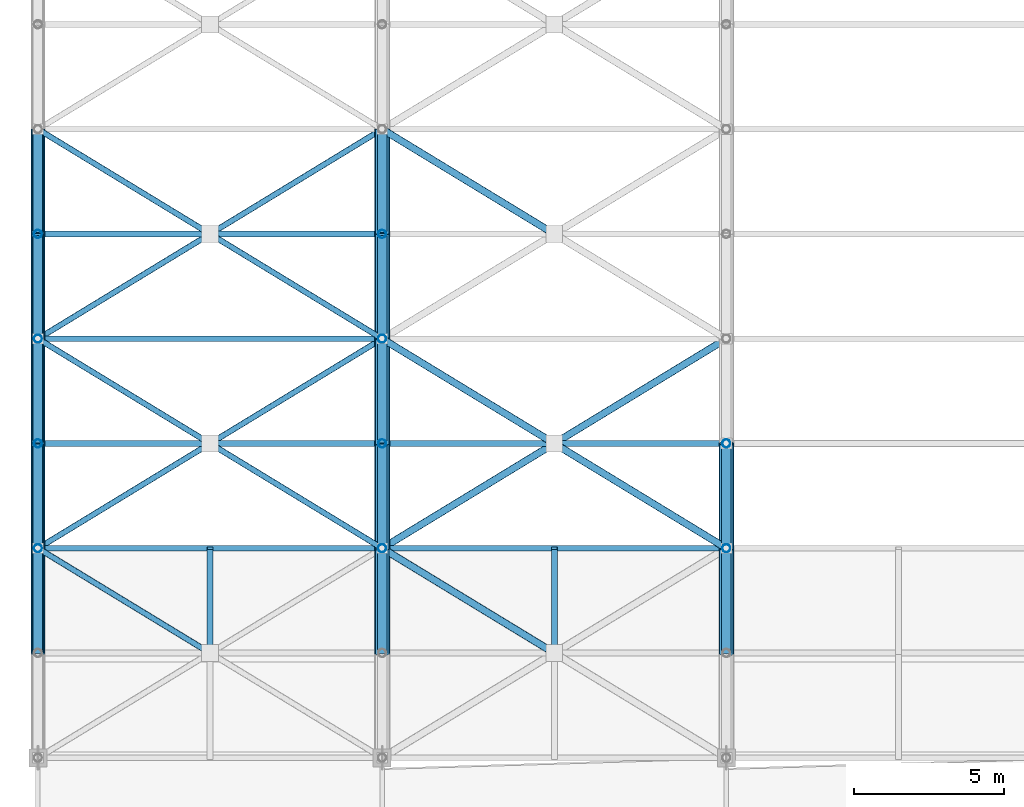
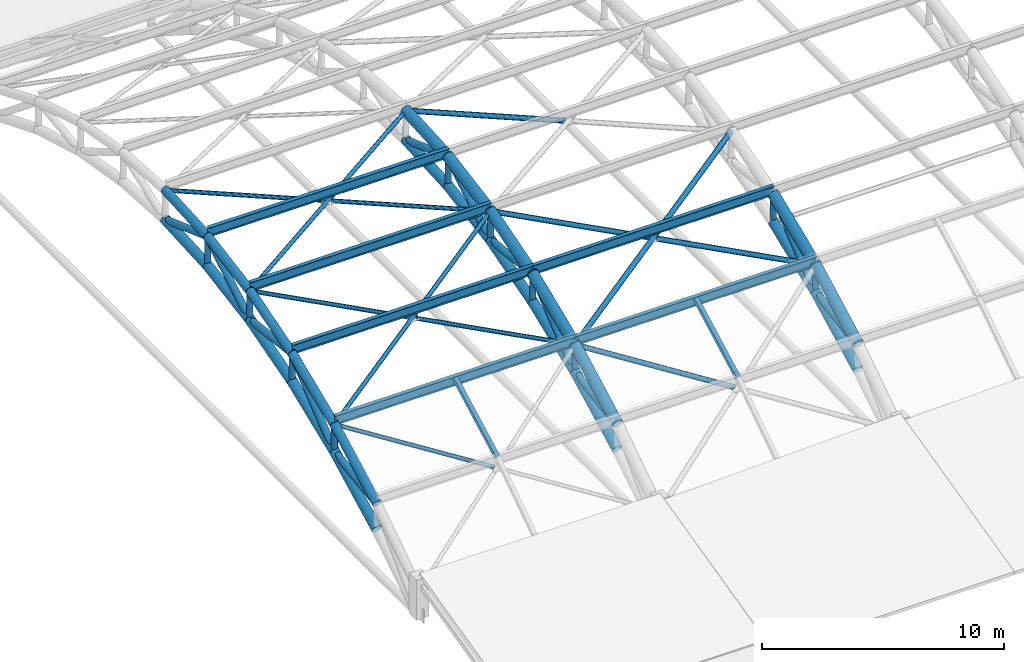
# One storey, part 11 of 154: 66 members.
"""IFC4 building model written with IfcOpenShell, lengths in metres."""

from ifc_helpers import new_model, si_unit, direction, frame, origin, origin_2d, place, context, subcontext, project, spatial, hollow_rectangle, hollow_circle, i_section, extrude, material, material_profile, profile_set, type_object, element, save


model = new_model("IFC4")

# Units and contexts
model_context = context("Model", 3, precision=1e-05, world=origin(), true_north=direction((0.0, 1.0)))
body_context = subcontext(model_context, "Body", "Model", "MODEL_VIEW")
ifc_project = project(units=[si_unit("LENGTHUNIT", "METRE"), si_unit("AREAUNIT", "SQUARE_METRE"), si_unit("VOLUMEUNIT", "CUBIC_METRE"), si_unit("PLANEANGLEUNIT", "RADIAN"), si_unit("MASSUNIT", "GRAM", prefix="KILO")], contexts=[model_context])

# Site, building, storey
site_placement = place(None, origin())
site = spatial("IfcSite", under=ifc_project, at=site_placement, CompositionType="ELEMENT")
building_placement = place(site_placement, origin())
building = spatial("IfcBuilding", under=site, at=building_placement, Name="Ologun Quay Terminus", CompositionType="ELEMENT")
storey_placement = place(building_placement, frame((0.0, 0.0, 13.800048828125)))
storey = spatial("IfcBuildingStorey", under=building, at=storey_placement, Name="L03", CompositionType="ELEMENT", Elevation=13.800048828125)

# Members
ifc_material_1 = material(Name="Steel S355", Category="steel")
ifc_material_profile_1 = material_profile(ifc_material_1, hollow_circle(Radius=0.136474609375, WallThickness=0.010009765625, at=origin_2d()), Name="CHS 273x10")
ifc_profile_set_1 = profile_set([ifc_material_profile_1], Name="Steel S355")
member_type_1 = type_object("IfcMemberType", Name="Arch Truss Vertical Post CHS273", PredefinedType="STRUT", material=ifc_profile_set_1)
member_1_placement = place(storey_placement, frame((0.0, 43.0, 4.022216796875), z_axis=(0.0, 0.0, 1.0), x_axis=(1.0, 0.0, 0.0)))
element("IfcMember", 1, at=member_1_placement, inside=storey, type_object=member_type_1, Name="AW2 Arch Web Post 1-N2", PredefinedType="STRUT", context=body_context, shape_type="SweptSolid", body=[
    extrude(hollow_circle(Radius=0.136474609375, WallThickness=0.010009765625, at=origin_2d()), origin(), (0.0, 0.0, 1.0), 1.35546875),
])
member_2_placement = place(storey_placement, frame((0.0, 46.5, 5.429931640625), z_axis=(0.0, 0.0, 1.0), x_axis=(1.0, 0.0, 0.0)))
element("IfcMember", 2, at=member_2_placement, inside=storey, type_object=member_type_1, Name="AW2 Arch Web Post 1-N3", PredefinedType="STRUT", context=body_context, shape_type="SweptSolid", body=[
    extrude(hollow_circle(Radius=0.136474609375, WallThickness=0.010009765625, at=origin_2d()), origin(), (0.0, 0.0, 1.0), 1.409912109375),
])
member_3_placement = place(storey_placement, frame((0.0, 50.0, 6.435546875), z_axis=(0.0, 0.0, 1.0), x_axis=(1.0, 0.0, 0.0)))
element("IfcMember", 3, at=member_3_placement, inside=storey, type_object=member_type_1, Name="AW2 Arch Web Post 1-N4", PredefinedType="STRUT", context=body_context, shape_type="SweptSolid", body=[
    extrude(hollow_circle(Radius=0.136474609375, WallThickness=0.010009765625, at=origin_2d()), origin(), (0.0, 0.0, 1.0), 1.44873046875),
])
member_4_placement = place(storey_placement, frame((0.0, 53.5, 7.038818359375), z_axis=(0.0, 0.0, 1.0), x_axis=(1.0, 0.0, 0.0)))
element("IfcMember", 4, at=member_4_placement, inside=storey, type_object=member_type_1, Name="AW2 Arch Web Post 1-N5", PredefinedType="STRUT", context=body_context, shape_type="SweptSolid", body=[
    extrude(hollow_circle(Radius=0.136474609375, WallThickness=0.010009765625, at=origin_2d()), origin(), (0.0, 0.0, 1.0), 1.47216796875),
])
member_5_placement = place(storey_placement, frame((11.5, 43.0, 4.022216796875), z_axis=(0.0, 0.0, 1.0), x_axis=(1.0, 0.0, 0.0)))
element("IfcMember", 5, at=member_5_placement, inside=storey, type_object=member_type_1, Name="AW2 Arch Web Post 2-N2", PredefinedType="STRUT", context=body_context, shape_type="SweptSolid", body=[
    extrude(hollow_circle(Radius=0.136474609375, WallThickness=0.010009765625, at=origin_2d()), origin(), (0.0, 0.0, 1.0), 1.35546875),
])
member_6_placement = place(storey_placement, frame((11.5, 46.5, 5.429931640625), z_axis=(0.0, 0.0, 1.0), x_axis=(1.0, 0.0, 0.0)))
element("IfcMember", 6, at=member_6_placement, inside=storey, type_object=member_type_1, Name="AW2 Arch Web Post 2-N3", PredefinedType="STRUT", context=body_context, shape_type="SweptSolid", body=[
    extrude(hollow_circle(Radius=0.136474609375, WallThickness=0.010009765625, at=origin_2d()), origin(), (0.0, 0.0, 1.0), 1.409912109375),
])
member_7_placement = place(storey_placement, frame((11.5, 50.0, 6.435546875), z_axis=(0.0, 0.0, 1.0), x_axis=(1.0, 0.0, 0.0)))
element("IfcMember", 7, at=member_7_placement, inside=storey, type_object=member_type_1, Name="AW2 Arch Web Post 2-N4", PredefinedType="STRUT", context=body_context, shape_type="SweptSolid", body=[
    extrude(hollow_circle(Radius=0.136474609375, WallThickness=0.010009765625, at=origin_2d()), origin(), (0.0, 0.0, 1.0), 1.44873046875),
])
member_8_placement = place(storey_placement, frame((11.5, 53.5, 7.038818359375), z_axis=(0.0, 0.0, 1.0), x_axis=(1.0, 0.0, 0.0)))
element("IfcMember", 8, at=member_8_placement, inside=storey, type_object=member_type_1, Name="AW2 Arch Web Post 2-N5", PredefinedType="STRUT", context=body_context, shape_type="SweptSolid", body=[
    extrude(hollow_circle(Radius=0.136474609375, WallThickness=0.010009765625, at=origin_2d()), origin(), (0.0, 0.0, 1.0), 1.47216796875),
])
member_9_placement = place(storey_placement, frame((23.0, 43.0, 4.022216796875), z_axis=(0.0, 0.0, 1.0), x_axis=(1.0, 0.0, 0.0)))
element("IfcMember", 9, at=member_9_placement, inside=storey, type_object=member_type_1, Name="AW2 Arch Web Post 3-N2", PredefinedType="STRUT", context=body_context, shape_type="SweptSolid", body=[
    extrude(hollow_circle(Radius=0.136474609375, WallThickness=0.010009765625, at=origin_2d()), origin(), (0.0, 0.0, 1.0), 1.35546875),
])
member_10_placement = place(storey_placement, frame((23.0, 46.5, 5.429931640625), z_axis=(0.0, 0.0, 1.0), x_axis=(1.0, 0.0, 0.0)))
element("IfcMember", 10, at=member_10_placement, inside=storey, type_object=member_type_1, Name="AW2 Arch Web Post 3-N3", PredefinedType="STRUT", context=body_context, shape_type="SweptSolid", body=[
    extrude(hollow_circle(Radius=0.136474609375, WallThickness=0.010009765625, at=origin_2d()), origin(), (0.0, 0.0, 1.0), 1.409912109375),
])
ifc_material_2 = material(Name="Steel S355", Category="steel")
ifc_material_profile_2 = material_profile(ifc_material_2, hollow_circle(Radius=0.161865234375, WallThickness=0.010009765625, at=origin_2d()), Name="CHS 323.9x10")
ifc_profile_set_2 = profile_set([ifc_material_profile_2], Name="Steel S355")
member_type_2 = type_object("IfcMemberType", Name="Arch Truss Web Diagonal CHS323", PredefinedType="BRACE", material=ifc_profile_set_2)
member_11_placement = place(storey_placement, frame((0.0, 39.5, 3.497802734375), z_axis=(0.0, 0.988960627525, 0.148178531524), x_axis=(-1.0, 0.0, 0.0)))
element("IfcMember", 11, at=member_11_placement, inside=storey, type_object=member_type_2, Name="AW1 Arch Web Diagonal 1-P2", PredefinedType="BRACE", context=body_context, shape_type="SweptSolid", body=[
    extrude(hollow_circle(Radius=0.161865234375, WallThickness=0.010009765625, at=origin_2d()), origin(), (0.0, 0.0, 1.0), 3.5390625),
])
member_12_placement = place(storey_placement, frame((0.0, 43.0, 4.022216796875), z_axis=(0.0, 0.77895148125, 0.627084196785), x_axis=(-1.0, 0.0, 0.0)))
element("IfcMember", 12, at=member_12_placement, inside=storey, type_object=member_type_2, Name="AW1 Arch Web Diagonal 1-P3", PredefinedType="BRACE", context=body_context, shape_type="SweptSolid", body=[
    extrude(hollow_circle(Radius=0.161865234375, WallThickness=0.010009765625, at=origin_2d()), origin(), (0.0, 0.0, 1.0), 4.4931640625),
])
member_13_placement = place(storey_placement, frame((0.0, 46.5, 6.83984375), z_axis=(0.0, 0.993394361, -0.114750353084), x_axis=(-1.0, 0.0, 0.0)))
element("IfcMember", 13, at=member_13_placement, inside=storey, type_object=member_type_2, Name="AW1 Arch Web Diagonal 1-P4", PredefinedType="BRACE", context=body_context, shape_type="SweptSolid", body=[
    extrude(hollow_circle(Radius=0.161865234375, WallThickness=0.010009765625, at=origin_2d()), origin(), (0.0, 0.0, 1.0), 3.523193359375),
])
member_14_placement = place(storey_placement, frame((0.0, 50.0, 6.435546875), z_axis=(0.0, 0.860144332958, 0.510050709715), x_axis=(-1.0, 0.0, 0.0)))
element("IfcMember", 14, at=member_14_placement, inside=storey, type_object=member_type_2, Name="AW1 Arch Web Diagonal 1-P5", PredefinedType="BRACE", context=body_context, shape_type="SweptSolid", body=[
    extrude(hollow_circle(Radius=0.161865234375, WallThickness=0.010009765625, at=origin_2d()), origin(), (0.0, 0.0, 1.0), 4.069091796875),
])
member_15_placement = place(storey_placement, frame((0.0, 53.5, 8.510986328125), z_axis=(0.0, 0.939942650142, -0.34133241048), x_axis=(-1.0, 0.0, 0.0)))
element("IfcMember", 15, at=member_15_placement, inside=storey, type_object=member_type_2, Name="AW1 Arch Web Diagonal 1-P6", PredefinedType="BRACE", context=body_context, shape_type="SweptSolid", body=[
    extrude(hollow_circle(Radius=0.161865234375, WallThickness=0.010009765625, at=origin_2d()), origin(), (0.0, 0.0, 1.0), 3.7236328125),
])
member_16_placement = place(storey_placement, frame((11.5, 39.5, 3.497802734375), z_axis=(0.0, 0.988960627525, 0.148178531524), x_axis=(-1.0, 0.0, 0.0)))
element("IfcMember", 16, at=member_16_placement, inside=storey, type_object=member_type_2, Name="AW1 Arch Web Diagonal 2-P2", PredefinedType="BRACE", context=body_context, shape_type="SweptSolid", body=[
    extrude(hollow_circle(Radius=0.161865234375, WallThickness=0.010009765625, at=origin_2d()), origin(), (0.0, 0.0, 1.0), 3.5390625),
])
member_17_placement = place(storey_placement, frame((11.5, 43.0, 4.022216796875), z_axis=(0.0, 0.77895148125, 0.627084196785), x_axis=(-1.0, 0.0, 0.0)))
element("IfcMember", 17, at=member_17_placement, inside=storey, type_object=member_type_2, Name="AW1 Arch Web Diagonal 2-P3", PredefinedType="BRACE", context=body_context, shape_type="SweptSolid", body=[
    extrude(hollow_circle(Radius=0.161865234375, WallThickness=0.010009765625, at=origin_2d()), origin(), (0.0, 0.0, 1.0), 4.4931640625),
])
member_18_placement = place(storey_placement, frame((11.5, 46.5, 6.83984375), z_axis=(0.0, 0.993394361, -0.114750353084), x_axis=(-1.0, 0.0, 0.0)))
element("IfcMember", 18, at=member_18_placement, inside=storey, type_object=member_type_2, Name="AW1 Arch Web Diagonal 2-P4", PredefinedType="BRACE", context=body_context, shape_type="SweptSolid", body=[
    extrude(hollow_circle(Radius=0.161865234375, WallThickness=0.010009765625, at=origin_2d()), origin(), (0.0, 0.0, 1.0), 3.523193359375),
])
member_19_placement = place(storey_placement, frame((11.5, 50.0, 6.435546875), z_axis=(0.0, 0.860144332958, 0.510050709715), x_axis=(-1.0, 0.0, 0.0)))
element("IfcMember", 19, at=member_19_placement, inside=storey, type_object=member_type_2, Name="AW1 Arch Web Diagonal 2-P5", PredefinedType="BRACE", context=body_context, shape_type="SweptSolid", body=[
    extrude(hollow_circle(Radius=0.161865234375, WallThickness=0.010009765625, at=origin_2d()), origin(), (0.0, 0.0, 1.0), 4.069091796875),
])
member_20_placement = place(storey_placement, frame((11.5, 53.5, 8.510986328125), z_axis=(0.0, 0.939942650142, -0.34133241048), x_axis=(-1.0, 0.0, 0.0)))
element("IfcMember", 20, at=member_20_placement, inside=storey, type_object=member_type_2, Name="AW1 Arch Web Diagonal 2-P6", PredefinedType="BRACE", context=body_context, shape_type="SweptSolid", body=[
    extrude(hollow_circle(Radius=0.161865234375, WallThickness=0.010009765625, at=origin_2d()), origin(), (0.0, 0.0, 1.0), 3.7236328125),
])
member_21_placement = place(storey_placement, frame((23.0, 39.5, 3.497802734375), z_axis=(0.0, 0.988960627525, 0.148178531524), x_axis=(-1.0, 0.0, 0.0)))
element("IfcMember", 21, at=member_21_placement, inside=storey, type_object=member_type_2, Name="AW1 Arch Web Diagonal 3-P2", PredefinedType="BRACE", context=body_context, shape_type="SweptSolid", body=[
    extrude(hollow_circle(Radius=0.161865234375, WallThickness=0.010009765625, at=origin_2d()), origin(), (0.0, 0.0, 1.0), 3.5390625),
])
member_22_placement = place(storey_placement, frame((23.0, 43.0, 4.022216796875), z_axis=(0.0, 0.77895148125, 0.627084196785), x_axis=(-1.0, 0.0, 0.0)))
element("IfcMember", 22, at=member_22_placement, inside=storey, type_object=member_type_2, Name="AW1 Arch Web Diagonal 3-P3", PredefinedType="BRACE", context=body_context, shape_type="SweptSolid", body=[
    extrude(hollow_circle(Radius=0.161865234375, WallThickness=0.010009765625, at=origin_2d()), origin(), (0.0, 0.0, 1.0), 4.4931640625),
])
ifc_material_3 = material(Name="Steel S355", Category="steel")
ifc_material_profile_3 = material_profile(ifc_material_3, hollow_circle(Radius=0.203125, WallThickness=0.012451171875, at=origin_2d()), Name="CHS 406.4x12.5")
ifc_profile_set_3 = profile_set([ifc_material_profile_3], Name="Steel S355")
member_type_3 = type_object("IfcMemberType", Name="Gable End Arch Chord CHS406", PredefinedType="CHORD", material=ifc_profile_set_3)
member_23_placement = place(storey_placement, frame((0.0, 39.5, 3.497802734375), z_axis=(0.0, 0.880967864924, 0.473176099324), x_axis=(-1.0, 0.0, 0.0)))
element("IfcMember", 23, at=member_23_placement, inside=storey, type_object=member_type_3, Name="Arch Top Chord 1-P2", PredefinedType="CHORD", context=body_context, shape_type="SweptSolid", body=[
    extrude(hollow_circle(Radius=0.203125, WallThickness=0.012451171875, at=origin_2d()), origin(), (0.0, 0.0, 1.0), 3.972900390625),
])
member_24_placement = place(storey_placement, frame((0.0, 43.0, 5.377685546875), z_axis=(0.0, 0.922718523726, 0.385474416755), x_axis=(-1.0, 0.0, 0.0)))
element("IfcMember", 24, at=member_24_placement, inside=storey, type_object=member_type_3, Name="Arch Top Chord 1-P3", PredefinedType="CHORD", context=body_context, shape_type="SweptSolid", body=[
    extrude(hollow_circle(Radius=0.203125, WallThickness=0.012451171875, at=origin_2d()), origin(), (0.0, 0.0, 1.0), 3.793212890625),
])
member_25_placement = place(storey_placement, frame((0.0, 46.5, 6.83984375), z_axis=(0.0, 0.958244712677, 0.285949419701), x_axis=(-1.0, 0.0, 0.0)))
element("IfcMember", 25, at=member_25_placement, inside=storey, type_object=member_type_3, Name="Arch Top Chord 1-P4", PredefinedType="CHORD", context=body_context, shape_type="SweptSolid", body=[
    extrude(hollow_circle(Radius=0.203125, WallThickness=0.012451171875, at=origin_2d()), origin(), (0.0, 0.0, 1.0), 3.652587890625),
])
member_26_placement = place(storey_placement, frame((0.0, 50.0, 7.88427734375), z_axis=(0.0, 0.984344289591, 0.176256402859), x_axis=(-1.0, 0.0, 0.0)))
element("IfcMember", 26, at=member_26_placement, inside=storey, type_object=member_type_3, Name="Arch Top Chord 1-P5", PredefinedType="CHORD", context=body_context, shape_type="SweptSolid", body=[
    extrude(hollow_circle(Radius=0.203125, WallThickness=0.012451171875, at=origin_2d()), origin(), (0.0, 0.0, 1.0), 3.5556640625),
])
member_27_placement = place(storey_placement, frame((0.0, 53.5, 8.510986328125), z_axis=(0.0, 0.998222121157, 0.0596036646), x_axis=(-1.0, 0.0, 0.0)))
element("IfcMember", 27, at=member_27_placement, inside=storey, type_object=member_type_3, Name="Arch Top Chord 1-P6", PredefinedType="CHORD", context=body_context, shape_type="SweptSolid", body=[
    extrude(hollow_circle(Radius=0.203125, WallThickness=0.012451171875, at=origin_2d()), origin(), (0.0, 0.0, 1.0), 3.50634765625),
])
ifc_material_4 = material(Name="Steel S355", Category="steel")
ifc_material_profile_4 = material_profile(ifc_material_4, hollow_circle(Radius=0.096923828125, WallThickness=0.00634765625, at=origin_2d()), Name="CHS 193.7x6.3")
ifc_profile_set_4 = profile_set([ifc_material_profile_4], Name="Steel S355")
member_type_4 = type_object("IfcMemberType", Name="Gable Portal Wind Brace CHS193", PredefinedType="BRACE", material=ifc_profile_set_4)
member_28_placement = place(storey_placement, frame((0.0, 43.0, 5.377685546875), z_axis=(0.815823185614, -0.496583416265, -0.29637381886), x_axis=(0.51994342513, 0.854200699288, 0.0)))
element("IfcMember", 28, at=member_28_placement, inside=storey, type_object=member_type_4, Name="Roof Wind Brace B1 B1-K0", PredefinedType="BRACE", context=body_context, shape_type="SweptSolid", body=[
    extrude(hollow_circle(Radius=0.096923828125, WallThickness=0.00634765625, at=origin_2d()), origin(), (0.0, 0.0, 1.0), 6.907958984375),
])
member_29_placement = place(storey_placement, frame((0.0, 43.0, 5.377685546875), z_axis=(0.83976735311, 0.511162736676, 0.18303947466), x_axis=(-0.519946946896, 0.854198555614, 0.0)))
element("IfcMember", 29, at=member_29_placement, inside=storey, type_object=member_type_4, Name="Roof Wind Brace A B1-K2", PredefinedType="BRACE", context=body_context, shape_type="SweptSolid", body=[
    extrude(hollow_circle(Radius=0.096923828125, WallThickness=0.00634765625, at=origin_2d()), origin(), (0.0, 0.0, 1.0), 13.6943359375),
])
for number, where, z_axis, x_axis, name in (
    (30, (0.0, 50.0, 7.88427734375), (0.839763706767, -0.511174760907, -0.183022623217), (0.519957518446, 0.854192120668, 0.0), "Roof Wind Brace B1 B1-K2"),
    (31, (5.86767578125, 46.428466796875, 6.60546875), (0.839758111636, -0.51117135508, -0.183057804223), (0.519957518446, 0.854192120668, 0.0), "Roof Wind Brace B2 B1-K2"),
):
    element("IfcMember", number, at=place(storey_placement, frame(where, z_axis=z_axis, x_axis=x_axis)), inside=storey, type_object=member_type_4, Name=name, PredefinedType="BRACE", context=body_context, shape_type="SweptSolid", body=[
        extrude(hollow_circle(Radius=0.096923828125, WallThickness=0.00634765625, at=origin_2d()), origin(), (0.0, 0.0, 1.0), 6.70703125),
    ])
member_30_placement = place(storey_placement, frame((0.0, 50.0, 7.88427734375), z_axis=(0.852557618704, 0.518948115733, 0.061954499168), x_axis=(-0.519946946896, 0.854198555614, 0.0)))
element("IfcMember", 32, at=member_30_placement, inside=storey, type_object=member_type_4, Name="Roof Wind Brace A B1-K4", PredefinedType="BRACE", context=body_context, shape_type="SweptSolid", body=[
    extrude(hollow_circle(Radius=0.096923828125, WallThickness=0.00634765625, at=origin_2d()), origin(), (0.0, 0.0, 1.0), 13.48876953125),
])
for number, where, z_axis, x_axis, name in (
    (33, (0.0, 57.0, 8.719970703125), (0.852563238847, -0.518938678703, -0.061956206405), (0.51993754691, 0.854204277274, 0.0), "Roof Wind Brace B1 B1-K4"),
    (34, (5.869384765625, 53.42724609375, 8.29345703125), (0.852563238847, -0.518938678703, -0.061956206405), (0.51993754691, 0.854204277274, 0.0), "Roof Wind Brace B2 B1-K4"),
):
    element("IfcMember", number, at=place(storey_placement, frame(where, z_axis=z_axis, x_axis=x_axis)), inside=storey, type_object=member_type_4, Name=name, PredefinedType="BRACE", context=body_context, shape_type="SweptSolid", body=[
        extrude(hollow_circle(Radius=0.096923828125, WallThickness=0.00634765625, at=origin_2d()), origin(), (0.0, 0.0, 1.0), 6.604248046875),
    ])
ifc_material_5 = material(Name="Steel S355", Category="steel")
ifc_material_profile_5 = material_profile(ifc_material_5, hollow_circle(Radius=0.228515625, WallThickness=0.01611328125, at=origin_2d()), Name="CHS 457x16")
ifc_profile_set_5 = profile_set([ifc_material_profile_5], Name="Steel S355")
member_type_5 = type_object("IfcMemberType", Name="Parabolic Arch Bottom Chord CHS457", PredefinedType="CHORD", material=ifc_profile_set_5)
member_31_placement = place(storey_placement, frame((0.0, 39.5, 2.212158203125), z_axis=(0.0, 0.888247284083, 0.459365608551), x_axis=(-1.0, 0.0, 0.0)))
element("IfcMember", 35, at=member_31_placement, inside=storey, type_object=member_type_5, Name="AC2 Arch Bottom Chord 1-P2", PredefinedType="CHORD", context=body_context, shape_type="SweptSolid", body=[
    extrude(hollow_circle(Radius=0.228515625, WallThickness=0.01611328125, at=origin_2d()), origin(), (0.0, 0.0, 1.0), 3.9404296875),
])
member_32_placement = place(storey_placement, frame((0.0, 43.0, 4.022216796875), z_axis=(0.0, 0.92776983497, 0.373152962363), x_axis=(-1.0, 0.0, 0.0)))
element("IfcMember", 36, at=member_32_placement, inside=storey, type_object=member_type_5, Name="AC2 Arch Bottom Chord 1-P3", PredefinedType="CHORD", context=body_context, shape_type="SweptSolid", body=[
    extrude(hollow_circle(Radius=0.228515625, WallThickness=0.01611328125, at=origin_2d()), origin(), (0.0, 0.0, 1.0), 3.7724609375),
])
member_33_placement = place(storey_placement, frame((0.0, 46.5, 5.429931640625), z_axis=(0.0, 0.961115578425, 0.276146419331), x_axis=(-1.0, 0.0, 0.0)))
element("IfcMember", 37, at=member_33_placement, inside=storey, type_object=member_type_5, Name="AC2 Arch Bottom Chord 1-P4", PredefinedType="CHORD", context=body_context, shape_type="SweptSolid", body=[
    extrude(hollow_circle(Radius=0.228515625, WallThickness=0.01611328125, at=origin_2d()), origin(), (0.0, 0.0, 1.0), 3.6416015625),
])
member_34_placement = place(storey_placement, frame((0.0, 50.0, 6.435546875), z_axis=(0.0, 0.985468449185, 0.16985857547), x_axis=(-1.0, 0.0, 0.0)))
element("IfcMember", 38, at=member_34_placement, inside=storey, type_object=member_type_5, Name="AC2 Arch Bottom Chord 1-P5", PredefinedType="CHORD", context=body_context, shape_type="SweptSolid", body=[
    extrude(hollow_circle(Radius=0.228515625, WallThickness=0.01611328125, at=origin_2d()), origin(), (0.0, 0.0, 1.0), 3.551513671875),
])
member_35_placement = place(storey_placement, frame((0.0, 53.5, 7.038818359375), z_axis=(0.0, 0.998352239869, 0.057382969144), x_axis=(-1.0, 0.0, 0.0)))
element("IfcMember", 39, at=member_35_placement, inside=storey, type_object=member_type_5, Name="AC2 Arch Bottom Chord 1-P6", PredefinedType="CHORD", context=body_context, shape_type="SweptSolid", body=[
    extrude(hollow_circle(Radius=0.228515625, WallThickness=0.01611328125, at=origin_2d()), origin(), (0.0, 0.0, 1.0), 3.505859375),
])
member_36_placement = place(storey_placement, frame((11.5, 39.5, 2.212158203125), z_axis=(0.0, 0.888247284083, 0.459365608551), x_axis=(-1.0, 0.0, 0.0)))
element("IfcMember", 40, at=member_36_placement, inside=storey, type_object=member_type_5, Name="AC2 Arch Bottom Chord 2-P2", PredefinedType="CHORD", context=body_context, shape_type="SweptSolid", body=[
    extrude(hollow_circle(Radius=0.228515625, WallThickness=0.01611328125, at=origin_2d()), origin(), (0.0, 0.0, 1.0), 3.9404296875),
])
member_37_placement = place(storey_placement, frame((11.5, 43.0, 4.022216796875), z_axis=(0.0, 0.92776983497, 0.373152962363), x_axis=(-1.0, 0.0, 0.0)))
element("IfcMember", 41, at=member_37_placement, inside=storey, type_object=member_type_5, Name="AC2 Arch Bottom Chord 2-P3", PredefinedType="CHORD", context=body_context, shape_type="SweptSolid", body=[
    extrude(hollow_circle(Radius=0.228515625, WallThickness=0.01611328125, at=origin_2d()), origin(), (0.0, 0.0, 1.0), 3.7724609375),
])
member_38_placement = place(storey_placement, frame((11.5, 46.5, 5.429931640625), z_axis=(0.0, 0.961115578425, 0.276146419331), x_axis=(-1.0, 0.0, 0.0)))
element("IfcMember", 42, at=member_38_placement, inside=storey, type_object=member_type_5, Name="AC2 Arch Bottom Chord 2-P4", PredefinedType="CHORD", context=body_context, shape_type="SweptSolid", body=[
    extrude(hollow_circle(Radius=0.228515625, WallThickness=0.01611328125, at=origin_2d()), origin(), (0.0, 0.0, 1.0), 3.6416015625),
])
member_39_placement = place(storey_placement, frame((11.5, 50.0, 6.435546875), z_axis=(0.0, 0.985468449185, 0.16985857547), x_axis=(-1.0, 0.0, 0.0)))
element("IfcMember", 43, at=member_39_placement, inside=storey, type_object=member_type_5, Name="AC2 Arch Bottom Chord 2-P5", PredefinedType="CHORD", context=body_context, shape_type="SweptSolid", body=[
    extrude(hollow_circle(Radius=0.228515625, WallThickness=0.01611328125, at=origin_2d()), origin(), (0.0, 0.0, 1.0), 3.551513671875),
])
member_40_placement = place(storey_placement, frame((11.5, 53.5, 7.038818359375), z_axis=(0.0, 0.998352239869, 0.057382969144), x_axis=(-1.0, 0.0, 0.0)))
element("IfcMember", 44, at=member_40_placement, inside=storey, type_object=member_type_5, Name="AC2 Arch Bottom Chord 2-P6", PredefinedType="CHORD", context=body_context, shape_type="SweptSolid", body=[
    extrude(hollow_circle(Radius=0.228515625, WallThickness=0.01611328125, at=origin_2d()), origin(), (0.0, 0.0, 1.0), 3.505859375),
])
member_41_placement = place(storey_placement, frame((23.0, 39.5, 2.212158203125), z_axis=(0.0, 0.888247284083, 0.459365608551), x_axis=(-1.0, 0.0, 0.0)))
element("IfcMember", 45, at=member_41_placement, inside=storey, type_object=member_type_5, Name="AC2 Arch Bottom Chord 3-P2", PredefinedType="CHORD", context=body_context, shape_type="SweptSolid", body=[
    extrude(hollow_circle(Radius=0.228515625, WallThickness=0.01611328125, at=origin_2d()), origin(), (0.0, 0.0, 1.0), 3.9404296875),
])
member_42_placement = place(storey_placement, frame((23.0, 43.0, 4.022216796875), z_axis=(0.0, 0.92776983497, 0.373152962363), x_axis=(-1.0, 0.0, 0.0)))
element("IfcMember", 46, at=member_42_placement, inside=storey, type_object=member_type_5, Name="AC2 Arch Bottom Chord 3-P3", PredefinedType="CHORD", context=body_context, shape_type="SweptSolid", body=[
    extrude(hollow_circle(Radius=0.228515625, WallThickness=0.01611328125, at=origin_2d()), origin(), (0.0, 0.0, 1.0), 3.7724609375),
])
ifc_material_6 = material(Name="Steel S355", Category="steel")
ifc_material_profile_6 = material_profile(ifc_material_6, hollow_circle(Radius=0.25390625, WallThickness=0.01611328125, at=origin_2d()), Name="CHS 508x16")
ifc_profile_set_6 = profile_set([ifc_material_profile_6], Name="Steel S355")
member_type_6 = type_object("IfcMemberType", Name="Parabolic Arch Top Chord CHS508", PredefinedType="CHORD", material=ifc_profile_set_6)
member_43_placement = place(storey_placement, frame((11.5, 39.5, 3.497802734375), z_axis=(0.0, 0.880967864924, 0.473176099324), x_axis=(-1.0, 0.0, 0.0)))
element("IfcMember", 47, at=member_43_placement, inside=storey, type_object=member_type_6, Name="Arch Top Chord 2-P2", PredefinedType="CHORD", context=body_context, shape_type="SweptSolid", body=[
    extrude(hollow_circle(Radius=0.25390625, WallThickness=0.01611328125, at=origin_2d()), origin(), (0.0, 0.0, 1.0), 3.972900390625),
])
member_44_placement = place(storey_placement, frame((11.5, 43.0, 5.377685546875), z_axis=(0.0, 0.922718523726, 0.385474416755), x_axis=(-1.0, 0.0, 0.0)))
element("IfcMember", 48, at=member_44_placement, inside=storey, type_object=member_type_6, Name="Arch Top Chord 2-P3", PredefinedType="CHORD", context=body_context, shape_type="SweptSolid", body=[
    extrude(hollow_circle(Radius=0.25390625, WallThickness=0.01611328125, at=origin_2d()), origin(), (0.0, 0.0, 1.0), 3.793212890625),
])
member_45_placement = place(storey_placement, frame((11.5, 46.5, 6.83984375), z_axis=(0.0, 0.958244712677, 0.285949419701), x_axis=(-1.0, 0.0, 0.0)))
element("IfcMember", 49, at=member_45_placement, inside=storey, type_object=member_type_6, Name="Arch Top Chord 2-P4", PredefinedType="CHORD", context=body_context, shape_type="SweptSolid", body=[
    extrude(hollow_circle(Radius=0.25390625, WallThickness=0.01611328125, at=origin_2d()), origin(), (0.0, 0.0, 1.0), 3.652587890625),
])
member_46_placement = place(storey_placement, frame((11.5, 50.0, 7.88427734375), z_axis=(0.0, 0.984344289591, 0.176256402859), x_axis=(-1.0, 0.0, 0.0)))
element("IfcMember", 50, at=member_46_placement, inside=storey, type_object=member_type_6, Name="Arch Top Chord 2-P5", PredefinedType="CHORD", context=body_context, shape_type="SweptSolid", body=[
    extrude(hollow_circle(Radius=0.25390625, WallThickness=0.01611328125, at=origin_2d()), origin(), (0.0, 0.0, 1.0), 3.5556640625),
])
member_47_placement = place(storey_placement, frame((11.5, 53.5, 8.510986328125), z_axis=(0.0, 0.998222121157, 0.0596036646), x_axis=(-1.0, 0.0, 0.0)))
element("IfcMember", 51, at=member_47_placement, inside=storey, type_object=member_type_6, Name="Arch Top Chord 2-P6", PredefinedType="CHORD", context=body_context, shape_type="SweptSolid", body=[
    extrude(hollow_circle(Radius=0.25390625, WallThickness=0.01611328125, at=origin_2d()), origin(), (0.0, 0.0, 1.0), 3.50634765625),
])
member_48_placement = place(storey_placement, frame((23.0, 39.5, 3.497802734375), z_axis=(0.0, 0.880967864924, 0.473176099324), x_axis=(-1.0, 0.0, 0.0)))
element("IfcMember", 52, at=member_48_placement, inside=storey, type_object=member_type_6, Name="Arch Top Chord 3-P2", PredefinedType="CHORD", context=body_context, shape_type="SweptSolid", body=[
    extrude(hollow_circle(Radius=0.25390625, WallThickness=0.01611328125, at=origin_2d()), origin(), (0.0, 0.0, 1.0), 3.972900390625),
])
member_49_placement = place(storey_placement, frame((23.0, 43.0, 5.377685546875), z_axis=(0.0, 0.922718523726, 0.385474416755), x_axis=(-1.0, 0.0, 0.0)))
element("IfcMember", 53, at=member_49_placement, inside=storey, type_object=member_type_6, Name="Arch Top Chord 3-P3", PredefinedType="CHORD", context=body_context, shape_type="SweptSolid", body=[
    extrude(hollow_circle(Radius=0.25390625, WallThickness=0.01611328125, at=origin_2d()), origin(), (0.0, 0.0, 1.0), 3.793212890625),
])
ifc_material_7 = material(Name="Steel S355", Category="steel")
ifc_material_profile_7 = material_profile(ifc_material_7, hollow_circle(Radius=0.122314453125, WallThickness=0.008056640625, at=origin_2d()), Name="CHS 244.5x8")
ifc_profile_set_7 = profile_set([ifc_material_profile_7], Name="Steel S355")
member_type_7 = type_object("IfcMemberType", Name="Roof Plan Wind Brace Primary CHS244", PredefinedType="BRACE", material=ifc_profile_set_7)
member_50_placement = place(storey_placement, frame((11.5, 43.0, 5.377685546875), z_axis=(0.815823185614, -0.496583416265, -0.29637381886), x_axis=(0.51994342513, 0.854200699288, 0.0)))
element("IfcMember", 54, at=member_50_placement, inside=storey, type_object=member_type_7, Name="Roof Wind Brace B1 B2-K0", PredefinedType="BRACE", context=body_context, shape_type="SweptSolid", body=[
    extrude(hollow_circle(Radius=0.122314453125, WallThickness=0.008056640625, at=origin_2d()), origin(), (0.0, 0.0, 1.0), 6.907958984375),
])
member_51_placement = place(storey_placement, frame((11.5, 43.0, 5.377685546875), z_axis=(0.83976735311, 0.511162736676, 0.18303947466), x_axis=(-0.519946946896, 0.854198555614, 0.0)))
element("IfcMember", 55, at=member_51_placement, inside=storey, type_object=member_type_7, Name="Roof Wind Brace A B2-K2", PredefinedType="BRACE", context=body_context, shape_type="SweptSolid", body=[
    extrude(hollow_circle(Radius=0.122314453125, WallThickness=0.008056640625, at=origin_2d()), origin(), (0.0, 0.0, 1.0), 13.6943359375),
])
for number, where, z_axis, x_axis, name in (
    (56, (11.5, 50.0, 7.88427734375), (0.839763706767, -0.511174760907, -0.183022623217), (0.519957518446, 0.854192120668, 0.0), "Roof Wind Brace B1 B2-K2"),
    (57, (17.36767578125, 46.428466796875, 6.60546875), (0.839758111636, -0.51117135508, -0.183057804223), (0.519957518446, 0.854192120668, 0.0), "Roof Wind Brace B2 B2-K2"),
):
    element("IfcMember", number, at=place(storey_placement, frame(where, z_axis=z_axis, x_axis=x_axis)), inside=storey, type_object=member_type_7, Name=name, PredefinedType="BRACE", context=body_context, shape_type="SweptSolid", body=[
        extrude(hollow_circle(Radius=0.122314453125, WallThickness=0.008056640625, at=origin_2d()), origin(), (0.0, 0.0, 1.0), 6.70703125),
    ])
member_52_placement = place(storey_placement, frame((11.5, 57.0, 8.719970703125), z_axis=(0.852563238847, -0.518938678703, -0.061956206405), x_axis=(0.51993754691, 0.854204277274, 0.0)))
element("IfcMember", 58, at=member_52_placement, inside=storey, type_object=member_type_7, Name="Roof Wind Brace B1 B2-K4", PredefinedType="BRACE", context=body_context, shape_type="SweptSolid", body=[
    extrude(hollow_circle(Radius=0.122314453125, WallThickness=0.008056640625, at=origin_2d()), origin(), (0.0, 0.0, 1.0), 6.604248046875),
])
ifc_material_8 = material(Name="Steel S355", Category="steel")
ifc_material_profile_8 = material_profile(ifc_material_8, hollow_rectangle(XDim=0.199951171875, YDim=0.199951171875, WallThickness=0.008056640625, at=origin_2d()), Name="SHS 200x200x8")
ifc_profile_set_8 = profile_set([ifc_material_profile_8], Name="Steel S355")
member_type_8 = type_object("IfcMemberType", Name="Skylight Cross Transom Bar RHS150", PredefinedType="STRUT", material=ifc_profile_set_8)
for number, where, z_axis, x_axis, name in (
    (59, (5.75, 39.5, 3.851806640625), (0.0, 0.880967864924, 0.473176099324), (-1.0, 0.0, 0.0), "SK2 Eave Secondary Rafter B1-P2"),
    (60, (17.25, 39.5, 3.851806640625), (0.0, 0.880967864924, 0.473176099324), (-1.0, 0.0, 0.0), "SK2 Eave Secondary Rafter B2-P2"),
):
    element("IfcMember", number, at=place(storey_placement, frame(where, z_axis=z_axis, x_axis=x_axis)), inside=storey, type_object=member_type_8, Name=name, PredefinedType="STRUT", context=body_context, shape_type="SweptSolid", body=[
        extrude(hollow_rectangle(XDim=0.199951171875, YDim=0.199951171875, WallThickness=0.008056640625, at=origin_2d()), origin(), (0.0, 0.0, 1.0), 3.972900390625),
    ])
ifc_material_9 = material(Name="Steel S355", Category="steel")
ifc_material_profile_9 = material_profile(ifc_material_9, i_section(OverallWidth=0.1904296875, OverallDepth=0.45703125, WebThickness=0.009033203125, FlangeThickness=0.014404296875, at=origin_2d()), Name="UKB 457x191x74")
ifc_profile_set_9 = profile_set([ifc_material_profile_9], Name="Steel S355")
member_type_9 = type_object("IfcMemberType", Name="Train Shed Primary Roof Purlin UKB457", PredefinedType="PURLIN", material=ifc_profile_set_9)
for number, where, z_axis, x_axis, name in (
    (61, (0.0, 43.0, 5.606201171875), (1.0, 0.0, 0.0), (0.0, 1.0, 0.0), "PR1 Roof Purlin B1-N2"),
    (62, (0.0, 46.5, 7.068359375), (1.0, 0.0, 0.0), (0.0, 1.0, 0.0), "PR1 Roof Purlin B1-N3"),
    (63, (0.0, 50.0, 8.11279296875), (1.0, 0.0, 0.0), (0.0, 1.0, 0.0), "PR1 Roof Purlin B1-N4"),
    (64, (0.0, 53.5, 8.739501953125), (1.0, 0.0, 0.0), (0.0, 1.0, 0.0), "PR1 Roof Purlin B1-N5"),
    (65, (11.5, 43.0, 5.606201171875), (1.0, 0.0, 0.0), (0.0, 1.0, 0.0), "PR1 Roof Purlin B2-N2"),
    (66, (11.5, 46.5, 7.068359375), (1.0, 0.0, 0.0), (0.0, 1.0, 0.0), "PR1 Roof Purlin B2-N3"),
):
    element("IfcMember", number, at=place(storey_placement, frame(where, z_axis=z_axis, x_axis=x_axis)), inside=storey, type_object=member_type_9, Name=name, PredefinedType="PURLIN", context=body_context, shape_type="SweptSolid", body=[
        extrude(i_section(OverallWidth=0.1904296875, OverallDepth=0.45703125, WebThickness=0.009033203125, FlangeThickness=0.014404296875, at=origin_2d()), origin(), (0.0, 0.0, 1.0), 11.5),
    ])

save(model, "model.ifc")
